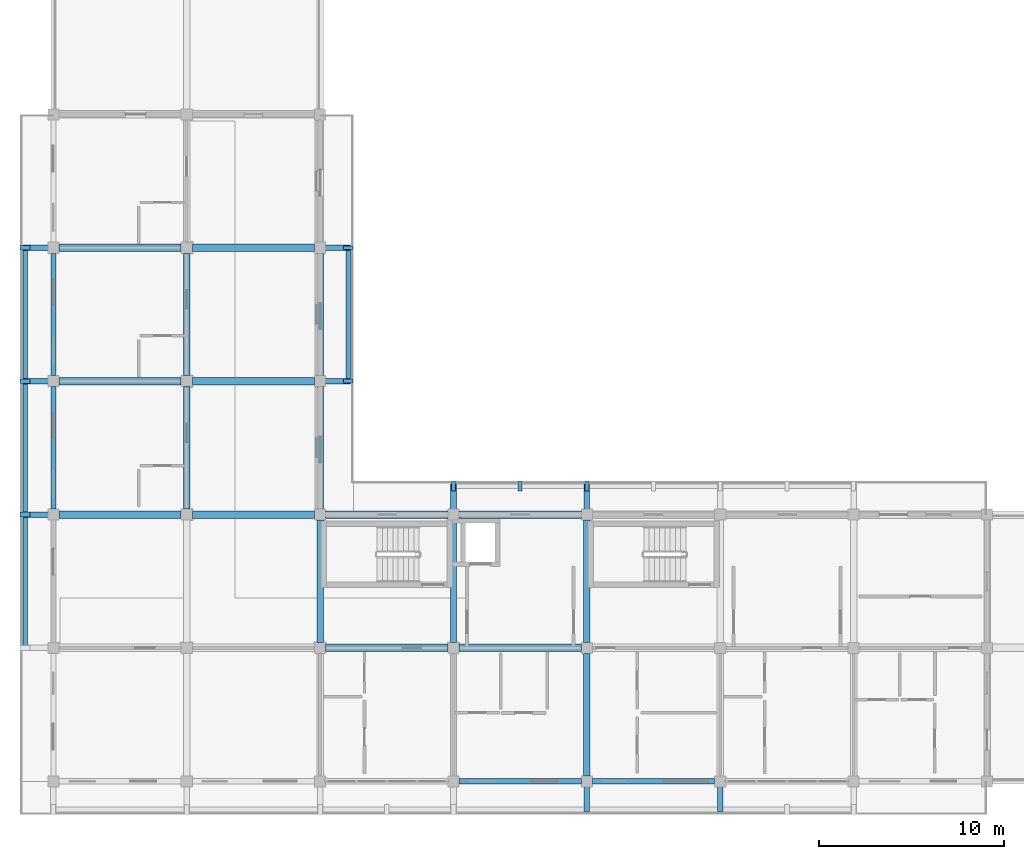
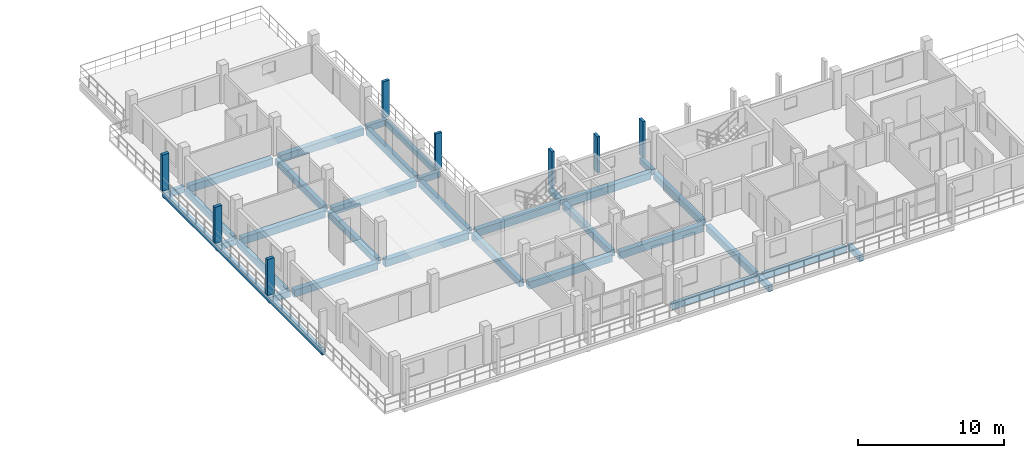
# One storey, part 7 of 78: 33 beams, 8 members.
"""IFC4 building model written with IfcOpenShell, lengths in metres."""

from ifc_helpers import new_model, si_unit, direction, frame, origin, origin_2d, place, context, subcontext, project, spatial, rectangle, extrude, material, material_profile, profile_set, type_object, element, save


model = new_model("IFC4")

# Units and contexts
model_context = context("Model", 3, precision=1e-05, world=origin(), true_north=direction((0.0, 1.0)))
body_context = subcontext(model_context, "Body", "Model", "MODEL_VIEW")
ifc_project = project(units=[si_unit("LENGTHUNIT", "METRE"), si_unit("AREAUNIT", "SQUARE_METRE"), si_unit("VOLUMEUNIT", "CUBIC_METRE"), si_unit("PLANEANGLEUNIT", "RADIAN"), si_unit("MASSUNIT", "GRAM", prefix="KILO")], contexts=[model_context])

# Site, building, storey
site_placement = place(None, origin())
site = spatial("IfcSite", under=ifc_project, at=site_placement, CompositionType="ELEMENT")
building_placement = place(site_placement, origin())
building = spatial("IfcBuilding", under=site, at=building_placement, Name="Suanplinth Sawtooth Commons", CompositionType="ELEMENT")
storey_placement = place(building_placement, frame((0.0, 0.0, 15.39990234375)))
storey = spatial("IfcBuildingStorey", under=building, at=storey_placement, Name="L04", CompositionType="ELEMENT", Elevation=15.39990234375)

# Beams
ifc_material_1 = material(Name="Precast concrete C40/50", Category="concrete")
ifc_material_profile_1 = material_profile(ifc_material_1, rectangle(XDim=0.39990234375, YDim=0.60009765625, at=origin_2d()), Name="PC-GDR 400x600")
ifc_profile_set_1 = profile_set([ifc_material_profile_1], Name="Precast concrete C40/50")
beam_type_1 = type_object("IfcBeamType", Name="B-05", PredefinedType="USERDEFINED", material=ifc_profile_set_1)
for number, where, z_axis, x_axis, name in (
    (1, (0.300048828125, 14.39990234375, -0.52001953125), (1.0, 0.0, 0.0), (0.0, 1.0, 0.0), "BMX-L04-D-0-2"),
    (2, (0.300048828125, 21.60009765625, -0.52001953125), (1.0, 0.0, 0.0), (0.0, 1.0, 0.0), "BMX-L04-D-0-3"),
    (3, (0.300048828125, 28.800048828125, -0.52001953125), (1.0, 0.0, 0.0), (0.0, 1.0, 0.0), "BMX-L04-D-0-4"),
):
    element("IfcBeam", number, at=place(storey_placement, frame(where, z_axis=z_axis, x_axis=x_axis)), inside=storey, type_object=beam_type_1, Name=name, ObjectType="GIRDER", PredefinedType="USERDEFINED", context=body_context, shape_type="SweptSolid", body=[
        extrude(rectangle(XDim=0.39990234375, YDim=0.60009765625, at=origin_2d()), origin(), (0.0, 0.0, 1.0), 6.599853515625),
    ])
for number, where, z_axis, x_axis, name in (
    (4, (7.5, 14.39990234375, -0.52001953125), (1.0, 0.0, 0.0), (0.0, 1.0, 0.0), "BMX-L04-D-1-2"),
    (5, (7.5, 21.60009765625, -0.52001953125), (1.0, 0.0, 0.0), (0.0, 1.0, 0.0), "BMX-L04-D-1-3"),
    (6, (7.5, 28.800048828125, -0.52001953125), (1.0, 0.0, 0.0), (0.0, 1.0, 0.0), "BMX-L04-D-1-4"),
    (7, (14.699951171875, 7.199951171875, -0.52001953125), (1.0, 0.0, 0.0), (0.0, 1.0, 0.0), "BMX-L04-D-2-1"),
    (8, (14.699951171875, 14.39990234375, -0.52001953125), (1.0, 0.0, 0.0), (0.0, 1.0, 0.0), "BMX-L04-D-2-2"),
    (9, (21.89990234375, 7.199951171875, -0.52001953125), (1.0, 0.0, 0.0), (0.0, 1.0, 0.0), "BMX-L04-D-3-1"),
    (10, (21.89990234375, 14.39990234375, -0.52001953125), (1.0, 0.0, 0.0), (0.0, 1.0, 0.0), "BMX-L04-D-3-2"),
):
    element("IfcBeam", number, at=place(storey_placement, frame(where, z_axis=z_axis, x_axis=x_axis)), inside=storey, type_object=beam_type_1, Name=name, ObjectType="GIRDER", PredefinedType="USERDEFINED", context=body_context, shape_type="SweptSolid", body=[
        extrude(rectangle(XDim=0.39990234375, YDim=0.60009765625, at=origin_2d()), origin(), (0.0, 0.0, 1.0), 6.60009765625),
    ])
ifc_material_profile_2 = material_profile(ifc_material_1, rectangle(XDim=0.35009765625, YDim=0.550048828125, at=origin_2d()), Name="PC-BM 350x550")
ifc_profile_set_2 = profile_set([ifc_material_profile_2], Name="Precast concrete C40/50")
beam_type_2 = type_object("IfcBeamType", Name="B-06", PredefinedType="BEAM", material=ifc_profile_set_2)
for number, where, z_axis, x_axis, name in (
    (11, (7.199951171875, 14.699951171875, -0.494873046875), (0.0, 1.0, 0.0), (-1.0, 0.0, 0.0), "BMY-L04-D-1-2"),
    (12, (7.199951171875, 21.89990234375, -0.494873046875), (0.0, 1.0, 0.0), (-1.0, 0.0, 0.0), "BMY-L04-D-1-3"),
    (13, (14.39990234375, 7.5, -0.494873046875), (0.0, 1.0, 0.0), (-1.0, 0.0, 0.0), "BMY-L04-D-2-1"),
    (14, (14.39990234375, 14.699951171875, -0.494873046875), (0.0, 1.0, 0.0), (-1.0, 0.0, 0.0), "BMY-L04-D-2-2"),
    (15, (14.39990234375, 21.89990234375, -0.494873046875), (0.0, 1.0, 0.0), (-1.0, 0.0, 0.0), "BMY-L04-D-2-3"),
    (16, (21.60009765625, 7.5, -0.494873046875), (0.0, 1.0, 0.0), (-1.0, 0.0, 0.0), "BMY-L04-D-3-1"),
):
    element("IfcBeam", number, at=place(storey_placement, frame(where, z_axis=z_axis, x_axis=x_axis)), inside=storey, type_object=beam_type_2, Name=name, PredefinedType="BEAM", context=body_context, shape_type="SweptSolid", body=[
        extrude(rectangle(XDim=0.35009765625, YDim=0.550048828125, at=origin_2d()), origin(), (0.0, 0.0, 1.0), 6.60009765625),
    ])
beam_1_placement = place(storey_placement, frame((28.800048828125, 0.300048828125, -0.494873046875), z_axis=(0.0, 1.0, 0.0), x_axis=(-1.0, 0.0, 0.0)))
element("IfcBeam", 17, at=beam_1_placement, inside=storey, type_object=beam_type_2, Name="BMY-L04-D-4-0", PredefinedType="BEAM", context=body_context, shape_type="SweptSolid", body=[
    extrude(rectangle(XDim=0.35009765625, YDim=0.550048828125, at=origin_2d()), origin(), (0.0, 0.0, 1.0), 6.599853515625),
])
beam_2_placement = place(storey_placement, frame((28.800048828125, 7.5, -0.494873046875), z_axis=(0.0, 1.0, 0.0), x_axis=(-1.0, 0.0, 0.0)))
element("IfcBeam", 18, at=beam_2_placement, inside=storey, type_object=beam_type_2, Name="BMY-L04-D-4-1", PredefinedType="BEAM", context=body_context, shape_type="SweptSolid", body=[
    extrude(rectangle(XDim=0.35009765625, YDim=0.550048828125, at=origin_2d()), origin(), (0.0, 0.0, 1.0), 6.60009765625),
])
ifc_material_profile_3 = material_profile(ifc_material_1, rectangle(XDim=0.300048828125, YDim=0.5, at=origin_2d()), Name="PC-BM 300x500")
ifc_profile_set_3 = profile_set([ifc_material_profile_3], Name="Precast concrete C40/50")
beam_type_3 = type_object("IfcBeamType", Name="B-07", PredefinedType="BEAM", material=ifc_profile_set_3)
for number, where, z_axis, x_axis, name in (
    (19, (28.800048828125, 0.0, -0.429931640625), (0.0, -1.0, 0.0), (1.0, 0.0, 0.0), "Balcony Outrigger L04-D-S-4"),
    (20, (36.0, 0.0, -0.429931640625), (0.0, -1.0, 0.0), (1.0, 0.0, 0.0), "Balcony Outrigger L04-D-S-5"),
    (21, (0.0, 14.39990234375, -0.429931640625), (-1.0, 0.0, 0.0), (0.0, -1.0, 0.0), "Balcony Outrigger L04-D-W-2"),
    (22, (0.0, 21.60009765625, -0.429931640625), (-1.0, 0.0, 0.0), (0.0, -1.0, 0.0), "Balcony Outrigger L04-D-W-3"),
    (23, (0.0, 28.800048828125, -0.429931640625), (-1.0, 0.0, 0.0), (0.0, -1.0, 0.0), "Balcony Outrigger L04-D-W-4"),
):
    element("IfcBeam", number, at=place(storey_placement, frame(where, z_axis=z_axis, x_axis=x_axis)), inside=storey, type_object=beam_type_3, Name=name, PredefinedType="BEAM", context=body_context, shape_type="SweptSolid", body=[
        extrude(rectangle(XDim=0.300048828125, YDim=0.5, at=origin_2d()), origin(), (0.0, 0.0, 1.0), 1.639892578125),
    ])
for number, where, z_axis, x_axis, name in (
    (24, (21.60009765625, 14.39990234375, -0.4248046875), (0.0, 1.0, 0.0), (-1.0, 0.0, 0.0), "Balcony Outrigger L04-D-NC-3"),
    (25, (28.800048828125, 14.39990234375, -0.4248046875), (0.0, 1.0, 0.0), (-1.0, 0.0, 0.0), "Balcony Outrigger L04-D-NC-4"),
    (26, (14.39990234375, 21.60009765625, -0.4248046875), (1.0, 0.0, 0.0), (0.0, 1.0, 0.0), "Balcony Outrigger L04-D-EC-3"),
    (27, (14.39990234375, 28.800048828125, -0.4248046875), (1.0, 0.0, 0.0), (0.0, 1.0, 0.0), "Balcony Outrigger L04-D-EC-4"),
):
    element("IfcBeam", number, at=place(storey_placement, frame(where, z_axis=z_axis, x_axis=x_axis)), inside=storey, type_object=beam_type_3, Name=name, PredefinedType="BEAM", context=body_context, shape_type="SweptSolid", body=[
        extrude(rectangle(XDim=0.300048828125, YDim=0.5, at=origin_2d()), origin(), (0.0, 0.0, 1.0), 1.64013671875),
    ])
ifc_material_profile_4 = material_profile(ifc_material_1, rectangle(XDim=0.280029296875, YDim=0.52001953125, at=origin_2d()), Name="PC-SP 280x520")
ifc_profile_set_4 = profile_set([ifc_material_profile_4], Name="Precast concrete C40/50")
beam_type_4 = type_object("IfcBeamType", Name="B-08", PredefinedType="SPANDREL", material=ifc_profile_set_4)
beam_3_placement = place(storey_placement, frame((21.89990234375, 0.0, -0.47998046875), z_axis=(1.0, 0.0, 0.0), x_axis=(0.0, 1.0, 0.0)))
element("IfcBeam", 28, at=beam_3_placement, inside=storey, type_object=beam_type_4, Name="BMX-L04-D-3-0", PredefinedType="SPANDREL", context=body_context, shape_type="SweptSolid", body=[
    extrude(rectangle(XDim=0.280029296875, YDim=0.52001953125, at=origin_2d()), origin(), (0.0, 0.0, 1.0), 6.60009765625),
])
beam_4_placement = place(storey_placement, frame((29.10009765625, 0.0, -0.47998046875), z_axis=(1.0, 0.0, 0.0), x_axis=(0.0, 1.0, 0.0)))
element("IfcBeam", 29, at=beam_4_placement, inside=storey, type_object=beam_type_4, Name="BMX-L04-D-4-0", PredefinedType="SPANDREL", context=body_context, shape_type="SweptSolid", body=[
    extrude(rectangle(XDim=0.280029296875, YDim=0.52001953125, at=origin_2d()), origin(), (0.0, 0.0, 1.0), 6.599853515625),
])
for number, where, z_axis, x_axis, name in (
    (30, (0.0, 14.699951171875, -0.47998046875), (0.0, 1.0, 0.0), (-1.0, 0.0, 0.0), "BMY-L04-D-0-2"),
    (31, (0.0, 21.89990234375, -0.47998046875), (0.0, 1.0, 0.0), (-1.0, 0.0, 0.0), "BMY-L04-D-0-3"),
):
    element("IfcBeam", number, at=place(storey_placement, frame(where, z_axis=z_axis, x_axis=x_axis)), inside=storey, type_object=beam_type_4, Name=name, PredefinedType="SPANDREL", context=body_context, shape_type="SweptSolid", body=[
        extrude(rectangle(XDim=0.280029296875, YDim=0.52001953125, at=origin_2d()), origin(), (0.0, 0.0, 1.0), 6.60009765625),
    ])
ifc_material_profile_5 = material_profile(ifc_material_1, rectangle(XDim=0.25, YDim=0.449951171875, at=origin_2d()), Name="PC-SP 250x450")
ifc_profile_set_5 = profile_set([ifc_material_profile_5], Name="Precast concrete C40/50")
beam_type_5 = type_object("IfcBeamType", Name="B-09", PredefinedType="SPANDREL", material=ifc_profile_set_5)
beam_5_placement = place(storey_placement, frame((-1.52001953125, 7.050048828125, -0.40478515625), z_axis=(0.0, 1.0, 0.0), x_axis=(-1.0, 0.0, 0.0)))
element("IfcBeam", 32, at=beam_5_placement, inside=storey, type_object=beam_type_5, Name="Balcony Edge Fascia L04-D-W", PredefinedType="SPANDREL", context=body_context, shape_type="SweptSolid", body=[
    extrude(rectangle(XDim=0.25, YDim=0.449951171875, at=origin_2d()), origin(), (0.0, 0.0, 1.0), 21.89990234375),
])
beam_6_placement = place(storey_placement, frame((15.919921875, 21.449951171875, -0.39990234375), z_axis=(0.0, 1.0, 0.0), x_axis=(-1.0, 0.0, 0.0)))
element("IfcBeam", 33, at=beam_6_placement, inside=storey, type_object=beam_type_5, Name="Balcony Edge Fascia L04-D-EC", PredefinedType="SPANDREL", context=body_context, shape_type="SweptSolid", body=[
    extrude(rectangle(XDim=0.25, YDim=0.449951171875, at=origin_2d()), origin(), (0.0, 0.0, 1.0), 7.5),
])

# Members
ifc_material_2 = material(Name="Pigmented precast concrete C40/50", Category="concrete")
ifc_material_profile_6 = material_profile(ifc_material_2, rectangle(XDim=0.25, YDim=0.5400390625, at=origin_2d()), Name="PC-FIN 250x540")
ifc_profile_set_6 = profile_set([ifc_material_profile_6], Name="Pigmented precast concrete C40/50")
member_type_1 = type_object("IfcMemberType", Name="M-11", PredefinedType="USERDEFINED", material=ifc_profile_set_6)
for number, where, z_axis, x_axis, name in (
    (34, (-1.52001953125, 14.39990234375, 0.0), (0.0, 0.0, 1.0), (0.0, 1.0, 0.0), "Upright Solar Blade L04-D-W-09"),
    (35, (-1.52001953125, 21.60009765625, 0.0), (0.0, 0.0, 1.0), (0.0, 1.0, 0.0), "Upright Solar Blade L04-D-W-10"),
    (36, (-1.52001953125, 28.800048828125, 0.0), (0.0, 0.0, 1.0), (0.0, 1.0, 0.0), "Upright Solar Blade L04-D-W-11"),
):
    element("IfcMember", number, at=place(storey_placement, frame(where, z_axis=z_axis, x_axis=x_axis)), inside=storey, type_object=member_type_1, Name=name, ObjectType="SHADING FIN", PredefinedType="USERDEFINED", context=body_context, shape_type="SweptSolid", body=[
        extrude(rectangle(XDim=0.25, YDim=0.5400390625, at=origin_2d()), origin(), (0.0, 0.0, 1.0), 3.030029296875),
    ])
ifc_material_profile_7 = material_profile(ifc_material_2, rectangle(XDim=0.2099609375, YDim=0.52001953125, at=origin_2d()), Name="PC-FIN 210x520")
ifc_profile_set_7 = profile_set([ifc_material_profile_7], Name="Pigmented precast concrete C40/50")
member_type_2 = type_object("IfcMemberType", Name="M-12", PredefinedType="USERDEFINED", material=ifc_profile_set_7)
for number, where, z_axis, x_axis, name in (
    (37, (21.60009765625, 15.919921875, 0.0), (0.0, 0.0, 1.0), (1.0, 0.0, 0.0), "Upright Solar Blade L04-D-NC-12"),
    (38, (25.199951171875, 15.919921875, 0.0), (0.0, 0.0, 1.0), (1.0, 0.0, 0.0), "Upright Solar Blade L04-D-NC-13"),
    (39, (28.800048828125, 15.919921875, 0.0), (0.0, 0.0, 1.0), (1.0, 0.0, 0.0), "Upright Solar Blade L04-D-NC-14"),
    (40, (15.919921875, 21.60009765625, 0.0), (0.0, 0.0, 1.0), (0.0, 1.0, 0.0), "Upright Solar Blade L04-D-EC-19"),
    (41, (15.919921875, 28.800048828125, 0.0), (0.0, 0.0, 1.0), (0.0, 1.0, 0.0), "Upright Solar Blade L04-D-EC-20"),
):
    element("IfcMember", number, at=place(storey_placement, frame(where, z_axis=z_axis, x_axis=x_axis)), inside=storey, type_object=member_type_2, Name=name, ObjectType="SHADING FIN", PredefinedType="USERDEFINED", context=body_context, shape_type="SweptSolid", body=[
        extrude(rectangle(XDim=0.2099609375, YDim=0.52001953125, at=origin_2d()), origin(), (0.0, 0.0, 1.0), 3.030029296875),
    ])

save(model, "model.ifc")
